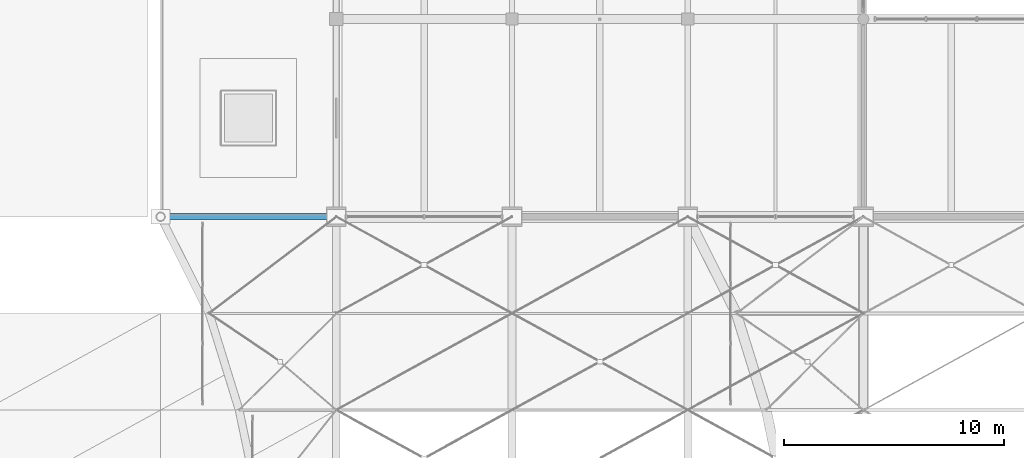
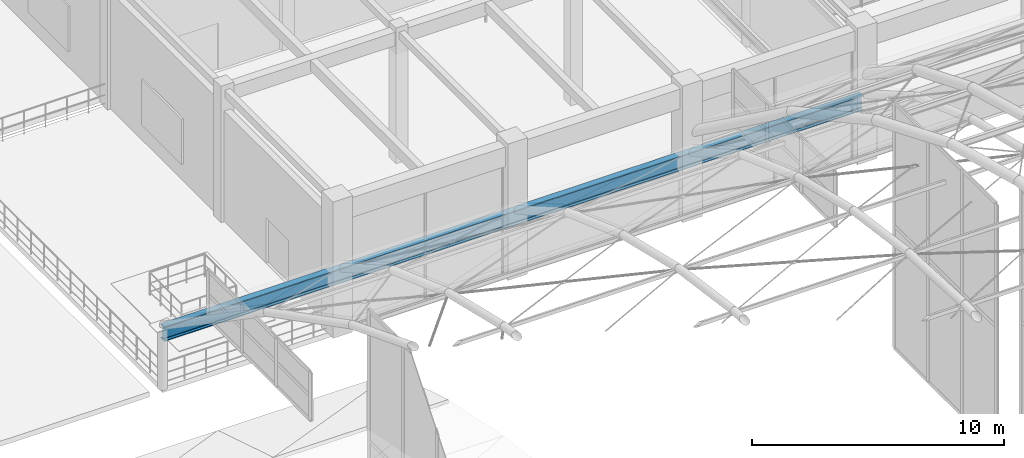
# One storey, part 55 of 163: 1 beam.
"""IFC4 building model written with IfcOpenShell, lengths in metres."""

from ifc_helpers import new_model, si_unit, direction, frame, origin, origin_2d, place, context, subcontext, project, spatial, i_section, extrude, material, material_profile, profile_set, type_object, element, save


model = new_model("IFC4")

# Units and contexts
model_context = context("Model", 3, precision=1e-05, world=origin(), true_north=direction((0.0, 1.0)))
body_context = subcontext(model_context, "Body", "Model", "MODEL_VIEW")
ifc_project = project(units=[si_unit("LENGTHUNIT", "METRE"), si_unit("AREAUNIT", "SQUARE_METRE"), si_unit("VOLUMEUNIT", "CUBIC_METRE"), si_unit("PLANEANGLEUNIT", "RADIAN"), si_unit("MASSUNIT", "GRAM", prefix="KILO")], contexts=[model_context])

# Site, building, storey
site_placement = place(None, origin())
site = spatial("IfcSite", under=ifc_project, at=site_placement, CompositionType="ELEMENT")
building_placement = place(site_placement, origin())
building = spatial("IfcBuilding", under=site, at=building_placement, Name="Varnabhumi Central Station", CompositionType="ELEMENT")
storey_placement = place(building_placement, frame((0.0, 0.0, 9.60009765625)))
storey = spatial("IfcBuildingStorey", under=building, at=storey_placement, Name="L02", CompositionType="ELEMENT", Elevation=9.60009765625)

# Beam
ifc_material = material(Name="Structural steel E350", Category="steel")
ifc_material_profile = material_profile(ifc_material, i_section(OverallWidth=0.300048828125, OverallDepth=0.699951171875, WebThickness=0.01708984375, FlangeThickness=0.031982421875, FilletRadius=0.027099609375, at=origin_2d()), Name="Structural steel E350", Category="steel")
ifc_profile_set = profile_set([ifc_material_profile], Name="Structural steel E350")
beam_type = type_object("IfcBeamType", Name="BM-RING-WPB700", PredefinedType="BEAM", material=ifc_profile_set)
beam_placement = place(storey_placement, frame((16.0, 80.0, 2.659912109375), z_axis=(1.0, 0.0, 0.0), x_axis=(0.0, 1.0, 0.0)))
element("IfcBeam", 1, at=beam_placement, inside=storey, type_object=beam_type, Name="Entrance Portico Vault Compression Ring Beam N", PredefinedType="BEAM", context=body_context, shape_type="SweptSolid", body=[
    extrude(i_section(OverallWidth=0.300048828125, OverallDepth=0.699951171875, WebThickness=0.01708984375, FlangeThickness=0.031982421875, FilletRadius=0.027099609375, at=origin_2d()), origin(), (0.0, 0.0, 1.0), 32.0),
])

save(model, "model.ifc")
